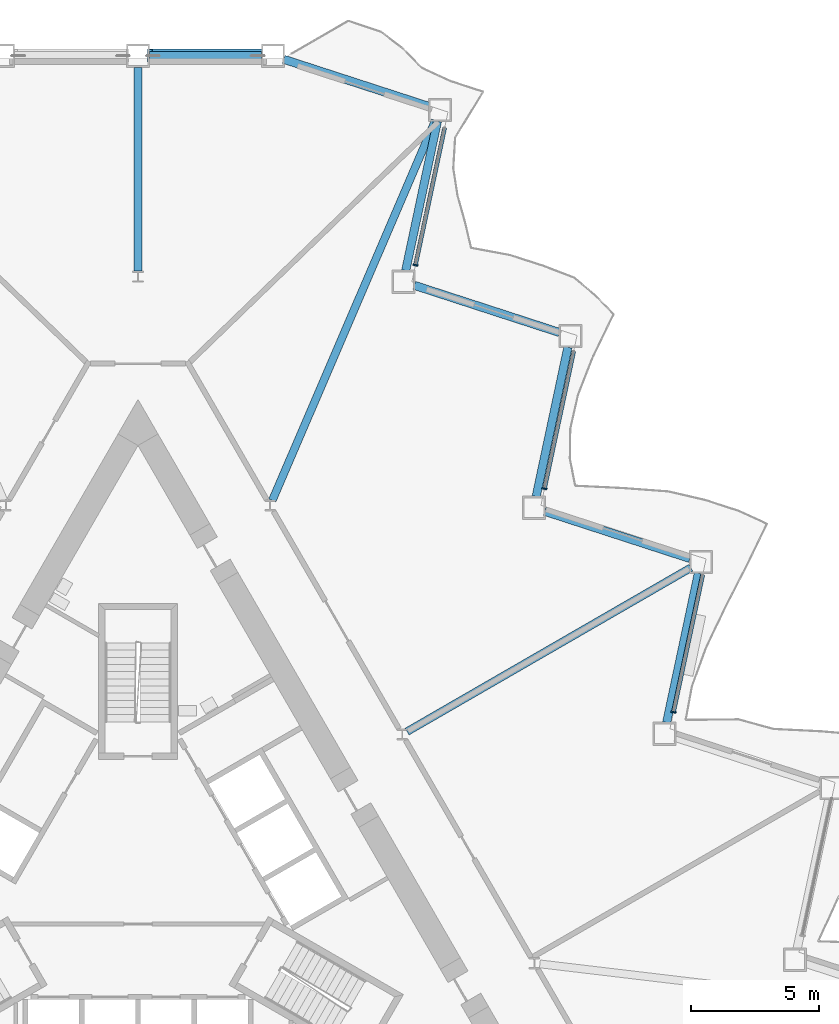
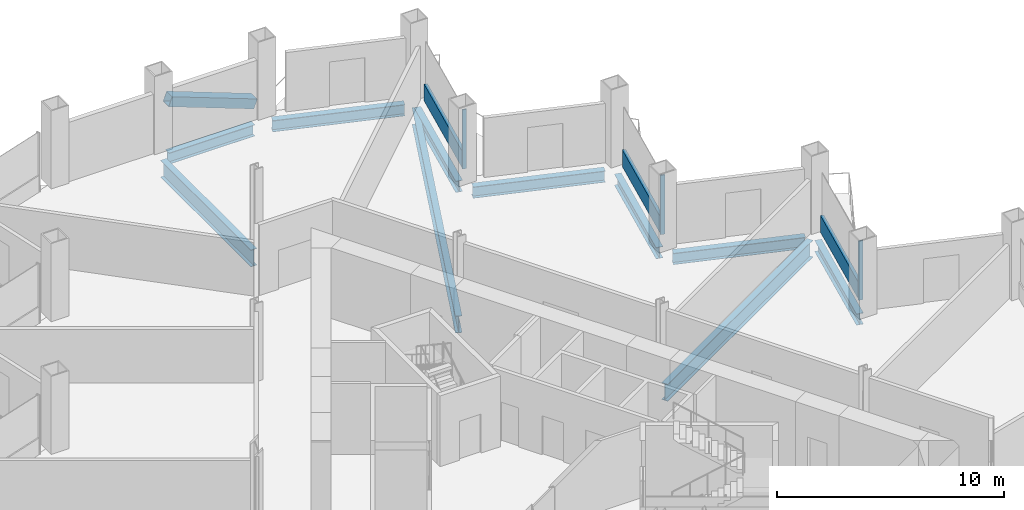
# One storey, part 8 of 21: 10 beams, 7 members, 3 elements without a shape of their own.
"""IFC4 building model written with IfcOpenShell, lengths in metres."""

from ifc_helpers import new_model, si_unit, direction, frame, origin, origin_2d, place, context, subcontext, project, spatial, rectangle, hollow_rectangle, i_section, extrude, material, layer, layer_set, material_profile, profile_set, type_object, element, aggregate, save


model = new_model("IFC4")

# Units and contexts
model_context = context("Model", 3, precision=1e-05, world=origin(), true_north=direction((0.0, 1.0)))
body_context = subcontext(model_context, "Body", "Model", "MODEL_VIEW")
ifc_project = project(units=[si_unit("LENGTHUNIT", "METRE"), si_unit("AREAUNIT", "SQUARE_METRE"), si_unit("VOLUMEUNIT", "CUBIC_METRE"), si_unit("PLANEANGLEUNIT", "RADIAN"), si_unit("MASSUNIT", "GRAM", prefix="KILO")], contexts=[model_context])

# Site, building, storey
site_placement = place(None, origin())
site = spatial("IfcSite", under=ifc_project, at=site_placement, CompositionType="ELEMENT")
building_placement = place(site_placement, origin())
building = spatial("IfcBuilding", under=site, at=building_placement, Name="Cormorant Prow Tower", CompositionType="ELEMENT")
storey_placement = place(building_placement, frame((0.0, 0.0, 133.199951171875)))
storey = spatial("IfcBuildingStorey", under=building, at=storey_placement, Name="L28", CompositionType="ELEMENT", Elevation=133.199951171875)

# Member
ifc_material_1 = material(Name="Structural steel ASTM A500 Gr C", Category="steel")
ifc_material_profile_1 = material_profile(ifc_material_1, hollow_rectangle(XDim=0.508056640625, YDim=0.508056640625, WallThickness=0.014892578125, at=origin_2d()), Name="HSS20x20x5/8")
ifc_profile_set_1 = profile_set([ifc_material_profile_1], Name="Structural steel ASTM A500 Gr C")
member_type_1 = type_object("IfcMemberType", Name="Chamfer brace HSS20x20x5/8", PredefinedType="BRACE", material=ifc_profile_set_1)
member_1_placement = place(storey_placement, frame((4.8017578125, 32.487060546875, 0.776611328125), z_axis=(-0.935582009332, 0.0, 0.353109478511), x_axis=(0.0, -1.0, 0.0)))
element("IfcMember", 1, at=member_1_placement, inside=storey, type_object=member_type_1, Name="Chamfer brace BR1 at N00 L28", PredefinedType="BRACE", context=body_context, shape_type="SweptSolid", body=[
    extrude(hollow_rectangle(XDim=0.508056640625, YDim=0.508056640625, WallThickness=0.014892578125, at=origin_2d()), origin(), (0.0, 0.0, 1.0), 4.63232421875),
])

# Curtain wall, member
ifc_material_2 = material(Name="Aluminium 6063-T6", Category="aluminium")
ifc_layer = layer(ifc_material_2, 0.199951171875)
ifc_layer_set = layer_set([ifc_layer], Name="Aluminium 6063-T6")
curtain_wall_type = type_object("IfcCurtainWallType", Name="Office unitised curtain wall 200", PredefinedType="NOTDEFINED", material=ifc_layer_set)
curtain_wall_1_placement = place(storey_placement, origin())
curtain_wall_1 = element("IfcCurtainWall", 2, at=curtain_wall_1_placement, inside=storey, type_object=curtain_wall_type, Name="Office curtain wall ENE04", PredefinedType="NOTDEFINED")
ifc_material_3 = material(Name="Aluminium 6063-T6", Category="aluminium")
ifc_material_profile_2 = material_profile(ifc_material_3, rectangle(XDim=0.199951171875, YDim=0.06005859375, at=origin_2d()), Name="Office mullion 60x200")
ifc_profile_set_2 = profile_set([ifc_material_profile_2], Name="Aluminium 6063-T6")
member_type_2 = type_object("IfcMemberType", Name="Office mullion 60x200", PredefinedType="MULLION", material=ifc_profile_set_2)
member_2_placement = place(storey_placement, frame((20.9296875, 6.831787109375, 0.0), z_axis=(0.0, 0.0, 1.0), x_axis=(-0.978147605839, 0.207911666798, 0.0)))
member_2 = element("IfcMember", 3, at=member_2_placement, type_object=member_type_2, Name="Office mullion ENE04", PredefinedType="MULLION", context=body_context, shape_type="SweptSolid", body=[
    extrude(rectangle(XDim=0.199951171875, YDim=0.06005859375, at=origin_2d()), origin(), (0.0, 0.0, 1.0), 3.18896484375),
])

curtain_wall_2_placement = place(storey_placement, origin())
curtain_wall_2 = element("IfcCurtainWall", 4, at=curtain_wall_2_placement, inside=storey, type_object=curtain_wall_type, Name="Office curtain wall ENE06", PredefinedType="NOTDEFINED")
member_3_placement = place(storey_placement, frame((15.886474609375, 15.567138671875, 0.0), z_axis=(0.0, 0.0, 1.0), x_axis=(-0.978147612208, 0.207911636836, 0.0)))
member_3 = element("IfcMember", 5, at=member_3_placement, type_object=member_type_2, Name="Office mullion ENE06", PredefinedType="MULLION", context=body_context, shape_type="SweptSolid", body=[
    extrude(rectangle(XDim=0.199951171875, YDim=0.06005859375, at=origin_2d()), origin(), (0.0, 0.0, 1.0), 3.18896484375),
])

curtain_wall_3_placement = place(storey_placement, origin())
curtain_wall_3 = element("IfcCurtainWall", 6, at=curtain_wall_3_placement, inside=storey, type_object=curtain_wall_type, Name="Office curtain wall ENE08", PredefinedType="NOTDEFINED")
member_4_placement = place(storey_placement, frame((10.843017578125, 24.302490234375, 0.0), z_axis=(0.0, 0.0, 1.0), x_axis=(-0.978147612208, 0.207911636836, 0.0)))
member_4 = element("IfcMember", 7, at=member_4_placement, type_object=member_type_2, Name="Office mullion ENE08", PredefinedType="MULLION", context=body_context, shape_type="SweptSolid", body=[
    extrude(rectangle(XDim=0.199951171875, YDim=0.06005859375, at=origin_2d()), origin(), (0.0, 0.0, 1.0), 3.18896484375),
])

# Member
ifc_material_4 = material(Name="Terracotta", Category="masonry")
ifc_material_profile_3 = material_profile(ifc_material_4, rectangle(XDim=0.159912109375, YDim=0.89990234375, at=origin_2d()), Name="Office terracotta spandrel rail 160x900")
ifc_profile_set_3 = profile_set([ifc_material_profile_3], Name="Terracotta")
member_type_3 = type_object("IfcMemberType", Name="Office terracotta spandrel rail 160x900", PredefinedType="USERDEFINED", material=ifc_profile_set_3)
member_5_placement = place(storey_placement, frame((20.93603515625, 6.861083984375, 0.449951171875), z_axis=(0.207902650803, 0.978149522205, 0.0), x_axis=(-0.978149522205, 0.207902650803, 0.0)))
member_5 = element("IfcMember", 8, at=member_5_placement, type_object=member_type_3, Name="Office spandrel rail ENE04", ObjectType="TRANSOM", PredefinedType="USERDEFINED", context=body_context, shape_type="SweptSolid", body=[
    extrude(rectangle(XDim=0.159912109375, YDim=0.89990234375, at=origin_2d()), origin(), (0.0, 0.0, 1.0), 5.45458984375),
])

aggregate(curtain_wall_1, [member_2, member_5])

member_6_placement = place(storey_placement, frame((15.892578125, 15.596435546875, 0.449951171875), z_axis=(0.207902650803, 0.978149522205, 0.0), x_axis=(-0.978149522205, 0.207902650803, 0.0)))
member_6 = element("IfcMember", 9, at=member_6_placement, type_object=member_type_3, Name="Office spandrel rail ENE06", ObjectType="TRANSOM", PredefinedType="USERDEFINED", context=body_context, shape_type="SweptSolid", body=[
    extrude(rectangle(XDim=0.159912109375, YDim=0.89990234375, at=origin_2d()), origin(), (0.0, 0.0, 1.0), 5.45458984375),
])

aggregate(curtain_wall_2, [member_3, member_6])

member_7_placement = place(storey_placement, frame((10.84912109375, 24.331787109375, 0.449951171875), z_axis=(0.207945473965, 0.978140419294, 0.0), x_axis=(-0.978140419294, 0.207945473965, 0.0)))
member_7 = element("IfcMember", 10, at=member_7_placement, type_object=member_type_3, Name="Office spandrel rail ENE08", ObjectType="TRANSOM", PredefinedType="USERDEFINED", context=body_context, shape_type="SweptSolid", body=[
    extrude(rectangle(XDim=0.159912109375, YDim=0.89990234375, at=origin_2d()), origin(), (0.0, 0.0, 1.0), 5.45458984375),
])

aggregate(curtain_wall_3, [member_4, member_7])

# Beams
ifc_material_5 = material(Name="Structural steel ASTM A992 Gr 50", Category="steel")
ifc_material_profile_4 = material_profile(ifc_material_5, i_section(OverallWidth=0.3046875, OverallDepth=0.914794921875, WebThickness=0.0166015625, FlangeThickness=0.02587890625, at=origin_2d()), Name="W36x160")
ifc_profile_set_4 = profile_set([ifc_material_profile_4], Name="Structural steel ASTM A992 Gr 50")
beam_type_1 = type_object("IfcBeamType", Name="Radial floor beam W36x160", PredefinedType="BEAM", material=ifc_profile_set_4)
beam_1_placement = place(storey_placement, frame((0.0, 24.070068359375, -0.857421875), z_axis=(0.0, 1.0, 0.0), x_axis=(-1.0, 0.0, 0.0)))
element("IfcBeam", 11, at=beam_1_placement, inside=storey, type_object=beam_type_1, Name="Radial floor beam FB1 1 L28", PredefinedType="BEAM", context=body_context, shape_type="SweptSolid", body=[
    extrude(i_section(OverallWidth=0.3046875, OverallDepth=0.914794921875, WebThickness=0.0166015625, FlangeThickness=0.02587890625, at=origin_2d()), origin(), (0.0, 0.0, 1.0), 7.966796875),
])
beam_2_placement = place(storey_placement, frame((10.516845703125, 6.07177734375, -0.857421875), z_axis=(0.866021760006, 0.500006311156, 0.0), x_axis=(-0.500006311156, 0.866021760006, 0.0)))
element("IfcBeam", 12, at=beam_2_placement, inside=storey, type_object=beam_type_1, Name="Radial floor beam FB1 11 L28", PredefinedType="BEAM", context=body_context, shape_type="SweptSolid", body=[
    extrude(i_section(OverallWidth=0.3046875, OverallDepth=0.914794921875, WebThickness=0.0166015625, FlangeThickness=0.02587890625, at=origin_2d()), origin(), (0.0, 0.0, 1.0), 12.805419921875),
])
beam_3_placement = place(storey_placement, frame((5.25, 15.107666015625, -0.857421875), z_axis=(0.394273140268, 0.918993302948, 0.0), x_axis=(-0.918993302948, 0.394273140268, 0.0)))
element("IfcBeam", 13, at=beam_3_placement, inside=storey, type_object=beam_type_1, Name="Radial floor beam FB1 12 L28", PredefinedType="BEAM", context=body_context, shape_type="SweptSolid", body=[
    extrude(i_section(OverallWidth=0.3046875, OverallDepth=0.914794921875, WebThickness=0.0166015625, FlangeThickness=0.02587890625, at=origin_2d()), origin(), (0.0, 0.0, 1.0), 16.153564453125),
])
ifc_material_6 = material(Name="Structural steel ASTM A992 Gr 50", Category="steel")
ifc_material_profile_5 = material_profile(ifc_material_6, i_section(OverallWidth=0.32373046875, OverallDepth=0.611083984375, WebThickness=0.0126953125, FlangeThickness=0.01904296875, at=origin_2d()), Name="W24x104")
ifc_profile_set_5 = profile_set([ifc_material_profile_5], Name="Structural steel ASTM A992 Gr 50")
beam_type_2 = type_object("IfcBeamType", Name="Spandrel beam W24x104", PredefinedType="SPANDREL", material=ifc_profile_set_5)
beam_4_placement = place(storey_placement, frame((20.6630859375, 6.427001953125, -0.70556640625), z_axis=(0.207912620873, 0.978147403044, 0.0), x_axis=(-0.978147403044, 0.207912620873, 0.0)))
element("IfcBeam", 14, at=beam_4_placement, inside=storey, type_object=beam_type_2, Name="Spandrel beam SB1 ENE04-ENE05 L28", PredefinedType="SPANDREL", context=body_context, shape_type="SweptSolid", body=[
    extrude(i_section(OverallWidth=0.32373046875, OverallDepth=0.611083984375, WebThickness=0.0126953125, FlangeThickness=0.01904296875, at=origin_2d()), origin(), (0.0, 0.0, 1.0), 5.962890625),
])
for number, where, z_axis, x_axis, name in (
    (15, (21.568359375, 12.838623046875, -0.70556640625), (-0.951059340519, 0.309008302174, 0.0), (-0.309008302174, -0.951059340519, 0.0), "Spandrel beam SB1 ENE05-ENE06 L28"),
    (16, (15.56298828125, 15.260498046875, -0.70556640625), (0.207920947907, 0.978145633033, 0.0), (-0.978145633033, 0.207920947907, 0.0), "Spandrel beam SB1 ENE06-ENE07 L28"),
):
    element("IfcBeam", number, at=place(storey_placement, frame(where, z_axis=z_axis, x_axis=x_axis)), inside=storey, type_object=beam_type_2, Name=name, PredefinedType="SPANDREL", context=body_context, shape_type="SweptSolid", body=[
        extrude(i_section(OverallWidth=0.32373046875, OverallDepth=0.611083984375, WebThickness=0.0126953125, FlangeThickness=0.01904296875, at=origin_2d()), origin(), (0.0, 0.0, 1.0), 5.962646484375),
    ])
beam_5_placement = place(storey_placement, frame((16.468505859375, 21.671875, -0.70556640625), z_axis=(-0.95104730696, 0.309045336358, 0.0), x_axis=(-0.309045336358, -0.95104730696, 0.0)))
element("IfcBeam", 17, at=beam_5_placement, inside=storey, type_object=beam_type_2, Name="Spandrel beam SB1 ENE07-ENE08 L28", PredefinedType="SPANDREL", context=body_context, shape_type="SweptSolid", body=[
    extrude(i_section(OverallWidth=0.32373046875, OverallDepth=0.611083984375, WebThickness=0.0126953125, FlangeThickness=0.01904296875, at=origin_2d()), origin(), (0.0, 0.0, 1.0), 5.962890625),
])
beam_6_placement = place(storey_placement, frame((10.463134765625, 24.09375, -0.70556640625), z_axis=(0.207920947907, 0.978145633033, 0.0), x_axis=(-0.978145633033, 0.207920947907, 0.0)))
element("IfcBeam", 18, at=beam_6_placement, inside=storey, type_object=beam_type_2, Name="Spandrel beam SB1 ENE08-ENE09 L28", PredefinedType="SPANDREL", context=body_context, shape_type="SweptSolid", body=[
    extrude(i_section(OverallWidth=0.32373046875, OverallDepth=0.611083984375, WebThickness=0.0126953125, FlangeThickness=0.01904296875, at=origin_2d()), origin(), (0.0, 0.0, 1.0), 5.962646484375),
])
beam_7_placement = place(storey_placement, frame((11.368408203125, 30.50537109375, -0.70556640625), z_axis=(-0.951055430656, 0.309020335608, 0.0), x_axis=(-0.309020335608, -0.951055430656, 0.0)))
element("IfcBeam", 19, at=beam_7_placement, inside=storey, type_object=beam_type_2, Name="Spandrel beam SB1 ENE09-N00 L28", PredefinedType="SPANDREL", context=body_context, shape_type="SweptSolid", body=[
    extrude(i_section(OverallWidth=0.32373046875, OverallDepth=0.611083984375, WebThickness=0.0126953125, FlangeThickness=0.01904296875, at=origin_2d()), origin(), (0.0, 0.0, 1.0), 5.96240234375),
])
beam_8_placement = place(storey_placement, frame((4.819580078125, 32.487060546875, -0.70556640625), z_axis=(-1.0, 0.0, 0.0), x_axis=(0.0, -1.0, 0.0)))
element("IfcBeam", 20, at=beam_8_placement, inside=storey, type_object=beam_type_2, Name="Spandrel beam SB1 N00-N01 L28", PredefinedType="SPANDREL", context=body_context, shape_type="SweptSolid", body=[
    extrude(i_section(OverallWidth=0.32373046875, OverallDepth=0.611083984375, WebThickness=0.0126953125, FlangeThickness=0.01904296875, at=origin_2d()), origin(), (0.0, 0.0, 1.0), 4.36962890625),
])

save(model, "model.ifc")
